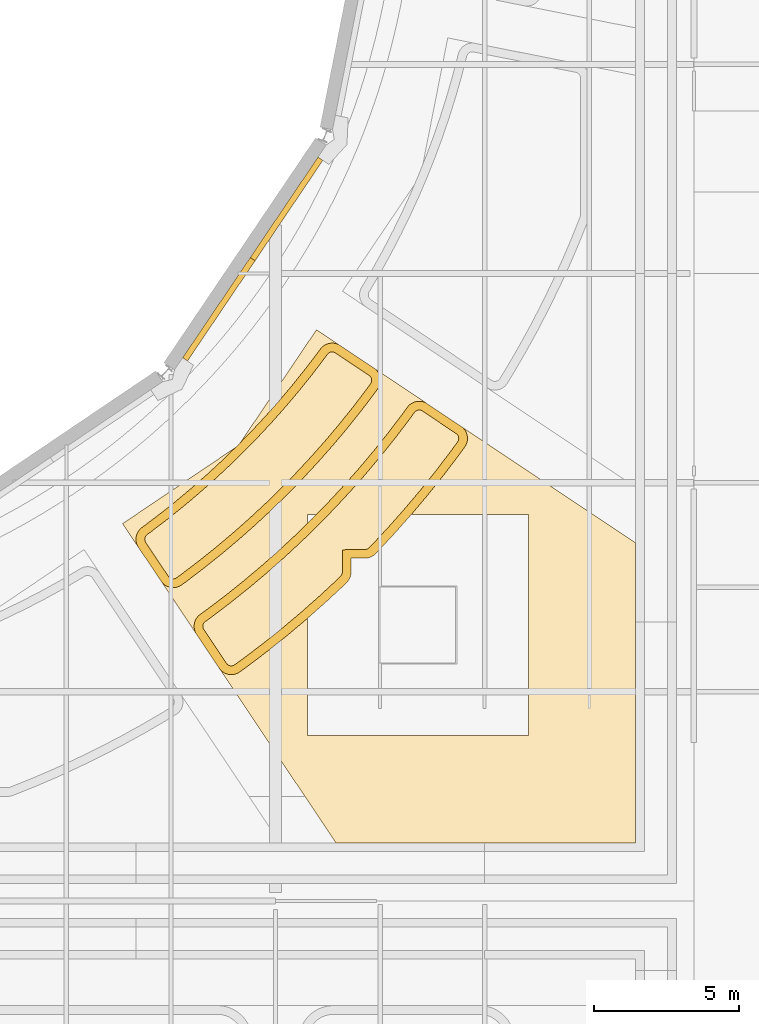
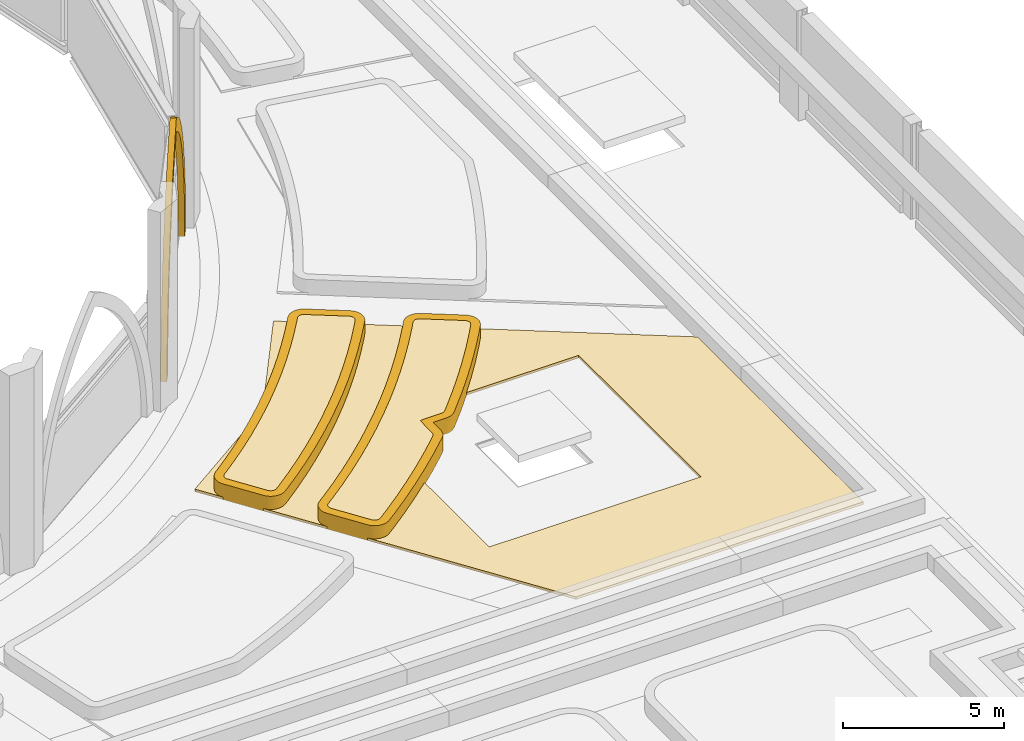
# One storey, part 88 of 110: 6 coverings.
"""IFC4 building model written with IfcOpenShell, lengths in metres."""

from ifc_helpers import new_model, si_unit, direction, frame, origin, place, context, subcontext, project, spatial, polyline, outline, extrude, material, layer, layer_set, type_object, element, save


model = new_model("IFC4")

# Units and contexts
model_context = context("Model", 3, precision=1e-05, world=origin(), true_north=direction((0.0, 1.0)))
body_context = subcontext(model_context, "Body", "Model", "MODEL_VIEW")
ifc_project = project(units=[si_unit("LENGTHUNIT", "METRE"), si_unit("AREAUNIT", "SQUARE_METRE"), si_unit("VOLUMEUNIT", "CUBIC_METRE"), si_unit("PLANEANGLEUNIT", "RADIAN"), si_unit("MASSUNIT", "GRAM", prefix="KILO")], contexts=[model_context])

# Site, building, storey
site_placement = place(None, origin())
site = spatial("IfcSite", under=ifc_project, at=site_placement, CompositionType="ELEMENT")
building_placement = place(site_placement, origin())
building = spatial("IfcBuilding", under=site, at=building_placement, Name="Kupolbacken Congress Centre", CompositionType="ELEMENT")
storey_placement = place(building_placement, frame((0.0, 0.0, 18.0)))
storey = spatial("IfcBuildingStorey", under=building, at=storey_placement, Name="L05", CompositionType="ELEMENT", Elevation=18.0)

# Coverings
ifc_material_1 = material(Name="Limestone cladding", Category="masonry")
ifc_layer_1 = layer(ifc_material_1, 0.60009765625)
ifc_layer_set_1 = layer_set([ifc_layer_1], Name="Limestone cladding")
covering_type_1 = type_object("IfcCoveringType", Name="CV5 limestone arcade pier 600", PredefinedType="CLADDING", material=ifc_layer_set_1)
covering_1_placement = place(storey_placement, origin())
element("IfcCovering", 1, at=covering_1_placement, inside=storey, type_object=covering_type_1, Name="Bed kerb, plenary wing roof", PredefinedType="CLADDING", context=body_context, shape_type="SweptSolid", body=[
    extrude(outline(polyline([(60.310791015625, 63.333984375), (60.866943359375, 63.757080078125), (60.87158203125, 63.7607421875), (61.417236328125, 64.197509765625), (61.422119140625, 64.201416015625), (61.95654296875, 64.651123046875), (61.961181640625, 64.655029296875), (62.484619140625, 65.117919921875), (62.4892578125, 65.1220703125), (63.001220703125, 65.59765625), (63.005615234375, 65.601806640625), (63.505859375, 66.08984375), (63.510009765625, 66.09423828125), (63.998046875, 66.59423828125), (64.002197265625, 66.598876953125), (64.477783203125, 67.110595703125), (64.48193359375, 67.115234375), (64.94482421875, 67.638671875), (64.948974609375, 67.643310546875), (65.398681640625, 68.177978515625), (65.402587890625, 68.1826171875), (65.839111328125, 68.728271484375), (65.843017578125, 68.733154296875), (66.26611328125, 69.289306640625), (66.269775390625, 69.294189453125), (66.343017578125, 69.3955078125), (66.373046875, 69.43310546875), (66.406494140625, 69.467529296875), (66.44287109375, 69.49853515625), (66.482177734375, 69.52587890625), (66.52392578125, 69.549560546875), (66.567626953125, 69.569091796875), (66.61328125, 69.583984375), (66.659912109375, 69.5947265625), (66.70751953125, 69.60107421875), (66.75537109375, 69.602783203125), (66.802978515625, 69.599609375), (66.850341796875, 69.59228515625), (66.896728515625, 69.580078125), (66.94189453125, 69.563720703125), (66.985107421875, 69.543212890625), (67.026123046875, 69.5185546875), (68.19091796875, 68.740234375), (68.231201171875, 68.710205078125), (68.268310546875, 68.676513671875), (68.3017578125, 68.63916015625), (68.331298828125, 68.598388671875), (68.356689453125, 68.55517578125), (68.377685546875, 68.509521484375), (68.393798828125, 68.4619140625), (68.4052734375, 68.4130859375), (68.41162109375, 68.36328125), (68.412841796875, 68.31298828125), (68.4091796875, 68.262939453125), (68.400634765625, 68.21337890625), (68.386962890625, 68.165283203125), (68.36865234375, 68.118408203125), (68.345703125, 68.07373046875), (68.318359375, 68.031494140625), (68.19921875, 67.866943359375), (68.19189453125, 67.857177734375), (67.73681640625, 67.259033203125), (67.729248046875, 67.249267578125), (67.259765625, 66.66259765625), (67.251953125, 66.653076171875), (66.76806640625, 66.078125), (66.760009765625, 66.06884765625), (66.26220703125, 65.505859375), (66.254150390625, 65.49658203125), (65.74267578125, 64.946044921875), (65.734130859375, 64.937255859375), (65.209228515625, 64.3994140625), (65.20068359375, 64.390625), (64.662841796875, 63.865966796875), (64.65380859375, 63.857421875), (64.103271484375, 63.345947265625), (64.09423828125, 63.337646484375), (63.53125, 62.83984375), (63.52197265625, 62.831787109375), (62.947021484375, 62.347900390625), (62.9375, 62.340087890625), (62.3505859375, 61.87060546875), (62.341064453125, 61.863037109375), (61.742919921875, 61.408203125), (61.733154296875, 61.400634765625), (61.568359375, 61.28173828125), (61.526123046875, 61.25439453125), (61.481689453125, 61.2314453125), (61.434814453125, 61.212890625), (61.386474609375, 61.199462890625), (61.3369140625, 61.190673828125), (61.287109375, 61.18701171875), (61.23681640625, 61.1884765625), (61.18701171875, 61.19482421875), (61.137939453125, 61.206298828125), (61.090576171875, 61.222412109375), (61.044921875, 61.243408203125), (61.00146484375, 61.268798828125), (60.9609375, 61.298095703125), (60.923583984375, 61.331787109375), (60.8896484375, 61.368896484375), (60.859619140625, 61.4091796875), (60.08154296875, 62.573974609375), (60.056884765625, 62.614990234375), (60.0361328125, 62.658203125), (60.019775390625, 62.703125), (60.0078125, 62.74951171875), (60.000244140625, 62.796875), (59.997314453125, 62.8447265625), (59.998779296875, 62.892578125), (60.005126953125, 62.940185546875), (60.015869140625, 62.98681640625), (60.031005859375, 63.0322265625), (60.050537109375, 63.076171875), (60.073974609375, 63.117919921875), (60.101318359375, 63.156982421875), (60.132568359375, 63.193603515625), (60.1669921875, 63.22705078125), (60.204345703125, 63.2568359375), (60.305908203125, 63.330078125), (60.310791015625, 63.333984375)]), holes=[polyline([(60.385986328125, 63.017822265625), (60.365234375, 63.00146484375), (60.3515625, 62.98828125), (60.339111328125, 62.9736328125), (60.328125, 62.9580078125), (60.31884765625, 62.94140625), (60.31103515625, 62.923828125), (60.304931640625, 62.905517578125), (60.30078125, 62.886962890625), (60.29833984375, 62.867919921875), (60.297607421875, 62.848876953125), (60.298828125, 62.829833984375), (60.3017578125, 62.810791015625), (60.306640625, 62.79248046875), (60.31298828125, 62.7744140625), (60.3212890625, 62.757080078125), (60.3349609375, 62.734619140625), (61.10498046875, 61.58203125), (61.121337890625, 61.559814453125), (61.135009765625, 61.545166015625), (61.14990234375, 61.53173828125), (61.166015625, 61.52001953125), (61.183349609375, 61.509765625), (61.20166015625, 61.50146484375), (61.220703125, 61.4951171875), (61.239990234375, 61.490478515625), (61.260009765625, 61.48779296875), (61.280029296875, 61.4873046875), (61.300048828125, 61.48876953125), (61.31982421875, 61.4921875), (61.339111328125, 61.497802734375), (61.357666015625, 61.505126953125), (61.37548828125, 61.51416015625), (61.398681640625, 61.529296875), (61.555908203125, 61.642822265625), (61.562744140625, 61.64794921875), (62.157958984375, 62.1005859375), (62.164794921875, 62.10595703125), (62.74853515625, 62.5732421875), (62.755126953125, 62.578857421875), (63.327392578125, 63.060302734375), (63.333984375, 63.06591796875), (63.89404296875, 63.561279296875), (63.900390625, 63.56689453125), (64.4482421875, 64.075927734375), (64.45458984375, 64.081787109375), (64.98974609375, 64.60400390625), (64.995849609375, 64.610107421875), (65.51806640625, 65.1455078125), (65.524169921875, 65.151611328125), (66.032958984375, 65.69970703125), (66.038818359375, 65.705810546875), (66.5341796875, 66.26611328125), (66.539794921875, 66.272705078125), (67.021240234375, 66.844970703125), (67.026611328125, 66.8515625), (67.493896484375, 67.435302734375), (67.499267578125, 67.442138671875), (67.9521484375, 68.037353515625), (67.957275390625, 68.044189453125), (68.07080078125, 68.201416015625), (68.085693359375, 68.224365234375), (68.094970703125, 68.2421875), (68.102294921875, 68.260986328125), (68.107666015625, 68.2802734375), (68.111083984375, 68.300048828125), (68.112548828125, 68.320068359375), (68.112060546875, 68.340087890625), (68.109619140625, 68.35986328125), (68.10498046875, 68.37939453125), (68.098388671875, 68.3984375), (68.090087890625, 68.41650390625), (68.080078125, 68.433837890625), (68.068359375, 68.4501953125), (68.054931640625, 68.465087890625), (68.0400390625, 68.478515625), (68.017822265625, 68.4951171875), (66.865478515625, 69.264892578125), (66.843017578125, 69.278564453125), (66.82568359375, 69.286865234375), (66.8076171875, 69.29345703125), (66.7890625, 69.298095703125), (66.770263671875, 69.30126953125), (66.751220703125, 69.302490234375), (66.73193359375, 69.3017578125), (66.712890625, 69.29931640625), (66.6943359375, 69.294921875), (66.67626953125, 69.288818359375), (66.65869140625, 69.28125), (66.64208984375, 69.271728515625), (66.62646484375, 69.2607421875), (66.61181640625, 69.248291015625), (66.598388671875, 69.234619140625), (66.58203125, 69.214111328125), (66.51171875, 69.116943359375), (66.506103515625, 69.10888671875), (66.08056640625, 68.550048828125), (66.07470703125, 68.542236328125), (65.6357421875, 67.993896484375), (65.62939453125, 67.986328125), (65.17724609375, 67.44873046875), (65.1708984375, 67.44140625), (64.70556640625, 66.915283203125), (64.698974609375, 66.907958984375), (64.220947265625, 66.393310546875), (64.214111328125, 66.385986328125), (63.723388671875, 65.88330078125), (63.716552734375, 65.87646484375), (63.2138671875, 65.385986328125), (63.206787109375, 65.379150390625), (62.692138671875, 64.901123046875), (62.684814453125, 64.89453125), (62.15869140625, 64.42919921875), (62.151123046875, 64.4228515625), (61.61376953125, 63.970458984375), (61.606201171875, 63.96435546875), (61.0576171875, 63.525390625), (61.050048828125, 63.519287109375), (60.490966796875, 63.093994140625), (60.483154296875, 63.088134765625), (60.385986328125, 63.017822265625)])]), origin(), (0.0, 0.0, 1.0), 0.60009765625),
])
covering_2_placement = place(storey_placement, origin())
element("IfcCovering", 2, at=covering_2_placement, inside=storey, type_object=covering_type_1, Name="Bed kerb, plenary wing roof", PredefinedType="CLADDING", context=body_context, shape_type="SweptSolid", body=[
    extrude(outline(polyline([(63.52734375, 58.25927734375), (63.48291015625, 58.236083984375), (63.43603515625, 58.218017578125), (63.3876953125, 58.204345703125), (63.338134765625, 58.195556640625), (63.2880859375, 58.19189453125), (63.238037109375, 58.193359375), (63.18798828125, 58.19970703125), (63.13916015625, 58.2109375), (63.091796875, 58.227294921875), (63.0458984375, 58.248046875), (63.002685546875, 58.2734375), (62.962158203125, 58.302978515625), (62.9248046875, 58.336669921875), (62.890869140625, 58.373779296875), (62.86083984375, 58.4140625), (62.082763671875, 59.57861328125), (62.05810546875, 59.619873046875), (62.037353515625, 59.6630859375), (62.02099609375, 59.7080078125), (62.009033203125, 59.75439453125), (62.00146484375, 59.8017578125), (61.99853515625, 59.849609375), (62.0, 59.8974609375), (62.00634765625, 59.945068359375), (62.01708984375, 59.99169921875), (62.0322265625, 60.037109375), (62.0517578125, 60.0810546875), (62.0751953125, 60.122802734375), (62.1025390625, 60.162109375), (62.1337890625, 60.198486328125), (62.168212890625, 60.231689453125), (62.20556640625, 60.26171875), (62.450439453125, 60.438720703125), (62.455322265625, 60.4423828125), (63.081787109375, 60.9189453125), (63.086669921875, 60.922607421875), (63.701171875, 61.41455078125), (63.705810546875, 61.41845703125), (64.30810546875, 61.92529296875), (64.312744140625, 61.92919921875), (64.90234375, 62.45068359375), (64.906982421875, 62.45458984375), (65.483642578125, 62.990478515625), (65.488037109375, 62.99462890625), (66.051513671875, 63.544189453125), (66.0556640625, 63.548583984375), (66.60546875, 64.112060546875), (66.609619140625, 64.116455078125), (67.145263671875, 64.693115234375), (67.1494140625, 64.697509765625), (67.6708984375, 65.287353515625), (67.6748046875, 65.2919921875), (68.181640625, 65.894287109375), (68.185546875, 65.89892578125), (68.67724609375, 66.513427734375), (68.68115234375, 66.518310546875), (69.15771484375, 67.144775390625), (69.161376953125, 67.149658203125), (69.33837890625, 67.394287109375), (69.3681640625, 67.431884765625), (69.401611328125, 67.46630859375), (69.43798828125, 67.497314453125), (69.477294921875, 67.52490234375), (69.51904296875, 67.54833984375), (69.562744140625, 67.56787109375), (69.6083984375, 67.5830078125), (69.655029296875, 67.59375), (69.702392578125, 67.599853515625), (69.75048828125, 67.6015625), (69.798095703125, 67.598388671875), (69.845703125, 67.591064453125), (69.891845703125, 67.5791015625), (69.93701171875, 67.5625), (69.980224609375, 67.5419921875), (70.021240234375, 67.517333984375), (71.18603515625, 66.739013671875), (71.226318359375, 66.708984375), (71.263427734375, 66.67529296875), (71.296875, 66.637939453125), (71.326416015625, 66.597412109375), (71.351806640625, 66.553955078125), (71.372802734375, 66.50830078125), (71.388916015625, 66.460693359375), (71.400390625, 66.411865234375), (71.40673828125, 66.362060546875), (71.408203125, 66.311767578125), (71.404296875, 66.26171875), (71.395751953125, 66.21240234375), (71.382080078125, 66.1640625), (71.36376953125, 66.1171875), (71.3408203125, 66.072509765625), (71.3134765625, 66.030517578125), (71.0908203125, 65.722412109375), (71.08349609375, 65.712646484375), (70.574951171875, 65.044189453125), (70.5673828125, 65.034423828125), (70.04248046875, 64.37890625), (70.034912109375, 64.369384765625), (69.494140625, 63.726806640625), (69.486083984375, 63.71728515625), (68.9296875, 63.088134765625), (68.92138671875, 63.0791015625), (68.349853515625, 62.4638671875), (68.34130859375, 62.454833984375), (68.240478515625, 62.351318359375), (68.203857421875, 62.3173828125), (68.1640625, 62.287353515625), (68.12158203125, 62.261474609375), (68.07666015625, 62.23974609375), (68.02978515625, 62.22265625), (67.9814453125, 62.21044921875), (67.932373046875, 62.202880859375), (67.882568359375, 62.200439453125), (67.411865234375, 62.200439453125), (67.400146484375, 62.199951171875), (67.3994140625, 62.188232421875), (67.3994140625, 61.717529296875), (67.39697265625, 61.667724609375), (67.3896484375, 61.618408203125), (67.377197265625, 61.5703125), (67.3603515625, 61.523193359375), (67.338623046875, 61.478515625), (67.312744140625, 61.435791015625), (67.28271484375, 61.396240234375), (67.248779296875, 61.359619140625), (67.14501953125, 61.258544921875), (67.13623046875, 61.25), (66.52099609375, 60.678466796875), (66.51171875, 60.67041015625), (65.882568359375, 60.114013671875), (65.873291015625, 60.10595703125), (65.230712890625, 59.565185546875), (65.22119140625, 59.557373046875), (64.5654296875, 59.03271484375), (64.555908203125, 59.025146484375), (63.887451171875, 58.5166015625), (63.877685546875, 58.50927734375), (63.569580078125, 58.28662109375), (63.52734375, 58.25927734375)]), holes=[polyline([(63.700439453125, 58.751220703125), (63.707275390625, 58.75634765625), (64.372802734375, 59.2626953125), (64.37939453125, 59.26806640625), (65.0322265625, 59.79052734375), (65.0390625, 59.7958984375), (65.6787109375, 60.334228515625), (65.685302734375, 60.33984375), (66.311767578125, 60.893798828125), (66.318115234375, 60.899658203125), (66.9306640625, 61.46875), (66.93701171875, 61.474609375), (67.03369140625, 61.569091796875), (67.052490234375, 61.589111328125), (67.064453125, 61.60498046875), (67.07470703125, 61.6220703125), (67.08349609375, 61.639892578125), (67.09033203125, 61.65869140625), (67.09521484375, 61.677978515625), (67.09814453125, 61.697509765625), (67.099609375, 61.72509765625), (67.099609375, 62.195556640625), (67.11376953125, 62.486083984375), (67.404296875, 62.50048828125), (67.875, 62.50048828125), (67.90234375, 62.501953125), (67.922119140625, 62.5048828125), (67.94140625, 62.509765625), (67.9599609375, 62.5166015625), (67.977783203125, 62.525146484375), (67.994873046875, 62.535400390625), (68.0107421875, 62.547607421875), (68.031005859375, 62.566162109375), (68.12548828125, 62.6630859375), (68.13134765625, 62.669189453125), (68.700439453125, 63.281982421875), (68.706298828125, 63.288330078125), (69.260009765625, 63.914794921875), (69.265625, 63.921142578125), (69.80419921875, 64.56103515625), (69.8095703125, 64.567626953125), (70.33203125, 65.220458984375), (70.33740234375, 65.227294921875), (70.843505859375, 65.892578125), (70.8486328125, 65.899658203125), (71.06591796875, 66.2001953125), (71.080810546875, 66.22314453125), (71.090087890625, 66.2412109375), (71.097412109375, 66.259765625), (71.102783203125, 66.279052734375), (71.106201171875, 66.298828125), (71.10791015625, 66.31884765625), (71.107177734375, 66.3388671875), (71.104736328125, 66.358642578125), (71.10009765625, 66.378173828125), (71.09375, 66.397216796875), (71.085205078125, 66.415283203125), (71.0751953125, 66.4326171875), (71.0634765625, 66.448974609375), (71.050048828125, 66.4638671875), (71.03515625, 66.477294921875), (71.01318359375, 66.493896484375), (69.860595703125, 67.263916015625), (69.837890625, 67.27734375), (69.82080078125, 67.28564453125), (69.802734375, 67.292236328125), (69.7841796875, 67.297119140625), (69.765380859375, 67.300048828125), (69.746337890625, 67.30126953125), (69.72705078125, 67.300537109375), (69.708251953125, 67.298095703125), (69.689453125, 67.293701171875), (69.67138671875, 67.28759765625), (69.65380859375, 67.280029296875), (69.63720703125, 67.2705078125), (69.62158203125, 67.259521484375), (69.60693359375, 67.247314453125), (69.593505859375, 67.2333984375), (69.5771484375, 67.212890625), (69.4033203125, 66.972412109375), (69.3974609375, 66.964599609375), (68.918701171875, 66.335205078125), (68.91259765625, 66.327392578125), (68.41845703125, 65.7099609375), (68.412353515625, 65.702392578125), (67.9033203125, 65.097412109375), (67.896728515625, 65.08984375), (67.372802734375, 64.49755859375), (67.366455078125, 64.490234375), (66.828125, 63.910888671875), (66.8212890625, 63.90380859375), (66.26904296875, 63.337890625), (66.26220703125, 63.330810546875), (65.6962890625, 62.778564453125), (65.689208984375, 62.771728515625), (65.109619140625, 62.233642578125), (65.1025390625, 62.22705078125), (64.510009765625, 61.703125), (64.502685546875, 61.69677734375), (63.897705078125, 61.187744140625), (63.889892578125, 61.181396484375), (63.272705078125, 60.687255859375), (63.264892578125, 60.681396484375), (62.635498046875, 60.202392578125), (62.627685546875, 60.196533203125), (62.38720703125, 60.022705078125), (62.366455078125, 60.00634765625), (62.352783203125, 59.9931640625), (62.34033203125, 59.978515625), (62.329345703125, 59.962890625), (62.320068359375, 59.946044921875), (62.312255859375, 59.9287109375), (62.30615234375, 59.910400390625), (62.302001953125, 59.891845703125), (62.299560546875, 59.872802734375), (62.298828125, 59.853759765625), (62.300048828125, 59.834716796875), (62.302978515625, 59.815673828125), (62.307861328125, 59.797119140625), (62.314208984375, 59.779296875), (62.322509765625, 59.761962890625), (62.336181640625, 59.739501953125), (63.106201171875, 58.5869140625), (63.12255859375, 58.564697265625), (63.135986328125, 58.550048828125), (63.151123046875, 58.53662109375), (63.167236328125, 58.52490234375), (63.1845703125, 58.5146484375), (63.202880859375, 58.50634765625), (63.2216796875, 58.499755859375), (63.2412109375, 58.495361328125), (63.26123046875, 58.492919921875), (63.28125, 58.4921875), (63.30126953125, 58.49365234375), (63.321044921875, 58.4970703125), (63.34033203125, 58.502685546875), (63.35888671875, 58.510009765625), (63.376708984375, 58.51904296875), (63.39990234375, 58.5341796875), (63.700439453125, 58.751220703125)])]), origin(), (0.0, 0.0, 1.0), 0.60009765625),
])
ifc_material_2 = material(Name="Limestone cladding", Category="masonry")
ifc_layer_2 = layer(ifc_material_2, 0.199951171875)
ifc_layer_set_2 = layer_set([ifc_layer_2], Name="Limestone cladding")
covering_type_2 = type_object("IfcCoveringType", Name="CV9 limestone drum arch frame 200", PredefinedType="CLADDING", material=ifc_layer_set_2)
covering_3_placement = place(storey_placement, frame((61.601806640625, 69.0986328125, 0.0), z_axis=(0.828907623157, -0.559385513106, 0.0), x_axis=(0.559385513106, 0.828907623157, 0.0)))
element("IfcCovering", 3, at=covering_3_placement, inside=storey, type_object=covering_type_2, Name="F/drum/arch/wall/06", PredefinedType="CLADDING", context=body_context, shape_type="SweptSolid", body=[
    extrude(outline(polyline([(0.0, 0.0), (0.0234375, 0.615966796875), (0.09326171875, 1.228271484375), (0.20947265625, 1.833740234375), (0.37109375, 2.428466796875), (0.5771484375, 3.009521484375), (0.826904296875, 3.572998046875), (1.118408203125, 4.115966796875), (1.4501953125, 4.635498046875), (1.820556640625, 5.128173828125), (2.22705078125, 5.591552734375), (2.66748046875, 6.022705078125), (3.139404296875, 6.41943359375), (3.639892578125, 6.779296875), (4.166015625, 7.10009765625), (4.6923828125, 6.779296875), (5.19287109375, 6.41943359375), (5.664794921875, 6.022705078125), (6.105224609375, 5.591552734375), (6.51171875, 5.128173828125), (6.8818359375, 4.635498046875), (7.2138671875, 4.115966796875), (7.50537109375, 3.572998046875), (7.7548828125, 3.009521484375), (7.961181640625, 2.428466796875), (8.122802734375, 1.833740234375), (8.239013671875, 1.228271484375), (8.308837890625, 0.615966796875), (8.332275390625, 0.0), (7.882080078125, 0.0), (7.861572265625, 0.563720703125), (7.799560546875, 1.12451171875), (7.696533203125, 1.67919921875), (7.552978515625, 2.224853515625), (7.3701171875, 2.758544921875), (7.148193359375, 3.277099609375), (6.888916015625, 3.7783203125), (6.59375, 4.259033203125), (6.263916015625, 4.716796875), (5.901611328125, 5.149169921875), (5.50830078125, 5.5537109375), (5.08642578125, 5.92822265625), (4.63818359375, 6.27099609375), (4.166015625, 6.57958984375), (3.694091796875, 6.27099609375), (3.245849609375, 5.92822265625), (2.823974609375, 5.5537109375), (2.4306640625, 5.149169921875), (2.068359375, 4.716796875), (1.738525390625, 4.259033203125), (1.443115234375, 3.7783203125), (1.18408203125, 3.277099609375), (0.96240234375, 2.758544921875), (0.779296875, 2.224853515625), (0.6357421875, 1.67919921875), (0.53271484375, 1.12451171875), (0.470703125, 0.563720703125), (0.449951171875, 0.0), (0.0, 0.0)])), origin(), (0.0, 0.0, 1.0), 0.199951171875),
])
ifc_material_3 = material(Name="Grass", Category="soil")
ifc_layer_3 = layer(ifc_material_3, 0.10009765625)
ifc_layer_set_3 = layer_set([ifc_layer_3], Name="Grass")
covering_type_3 = type_object("IfcCoveringType", Name="GR2 grass surface 100", PredefinedType="FLOORING", material=ifc_layer_set_3)
covering_4_placement = place(storey_placement, origin())
element("IfcCovering", 4, at=covering_4_placement, inside=storey, type_object=covering_type_3, Name="Green roof, plenary wing roof", PredefinedType="FLOORING", context=body_context, shape_type="SweptSolid", body=[
    extrude(outline(polyline([(77.199462890625, 62.72119140625), (77.199462890625, 52.400390625), (66.87890625, 52.400390625), (59.53662109375, 63.389404296875), (63.521484375, 66.07861328125), (66.210693359375, 70.0634765625), (77.199462890625, 62.72119140625)]), holes=[polyline([(73.50048828125, 56.099609375), (73.50048828125, 63.700439453125), (65.8994140625, 63.700439453125), (65.8994140625, 56.099609375), (73.50048828125, 56.099609375)])]), origin(), (0.0, 0.0, 1.0), 0.10009765625),
])
ifc_material_4 = material(Name="Planting substrate", Category="soil")
ifc_layer_4 = layer(ifc_material_4, 0.60009765625)
ifc_layer_set_4 = layer_set([ifc_layer_4], Name="Planting substrate")
covering_type_4 = type_object("IfcCoveringType", Name="GR8 planting substrate 600", PredefinedType="FLOORING", material=ifc_layer_set_4)
covering_5_placement = place(storey_placement, origin())
element("IfcCovering", 5, at=covering_5_placement, inside=storey, type_object=covering_type_4, Name="Planting bed, plenary wing roof", PredefinedType="FLOORING", context=body_context, shape_type="SweptSolid", body=[
    extrude(outline(polyline([(60.483154296875, 63.088134765625), (60.490966796875, 63.093994140625), (61.050048828125, 63.519287109375), (61.0576171875, 63.525390625), (61.606201171875, 63.96435546875), (61.61376953125, 63.970458984375), (62.151123046875, 64.4228515625), (62.15869140625, 64.42919921875), (62.684814453125, 64.89453125), (62.692138671875, 64.901123046875), (63.206787109375, 65.379150390625), (63.2138671875, 65.385986328125), (63.716552734375, 65.87646484375), (63.723388671875, 65.88330078125), (64.214111328125, 66.385986328125), (64.220947265625, 66.393310546875), (64.698974609375, 66.907958984375), (64.70556640625, 66.915283203125), (65.1708984375, 67.44140625), (65.17724609375, 67.44873046875), (65.62939453125, 67.986328125), (65.6357421875, 67.993896484375), (66.07470703125, 68.542236328125), (66.08056640625, 68.550048828125), (66.506103515625, 69.10888671875), (66.51171875, 69.116943359375), (66.58203125, 69.214111328125), (66.598388671875, 69.234619140625), (66.61181640625, 69.248291015625), (66.62646484375, 69.2607421875), (66.64208984375, 69.271728515625), (66.65869140625, 69.28125), (66.67626953125, 69.288818359375), (66.6943359375, 69.294921875), (66.712890625, 69.29931640625), (66.73193359375, 69.3017578125), (66.751220703125, 69.302490234375), (66.770263671875, 69.30126953125), (66.7890625, 69.298095703125), (66.8076171875, 69.29345703125), (66.82568359375, 69.286865234375), (66.843017578125, 69.278564453125), (66.865478515625, 69.264892578125), (68.017822265625, 68.4951171875), (68.0400390625, 68.478515625), (68.054931640625, 68.465087890625), (68.068359375, 68.4501953125), (68.080078125, 68.433837890625), (68.090087890625, 68.41650390625), (68.098388671875, 68.3984375), (68.10498046875, 68.37939453125), (68.109619140625, 68.35986328125), (68.112060546875, 68.340087890625), (68.112548828125, 68.320068359375), (68.111083984375, 68.300048828125), (68.107666015625, 68.2802734375), (68.102294921875, 68.260986328125), (68.094970703125, 68.2421875), (68.085693359375, 68.224365234375), (68.07080078125, 68.201416015625), (67.957275390625, 68.044189453125), (67.9521484375, 68.037353515625), (67.499267578125, 67.442138671875), (67.493896484375, 67.435302734375), (67.026611328125, 66.8515625), (67.021240234375, 66.844970703125), (66.539794921875, 66.272705078125), (66.5341796875, 66.26611328125), (66.038818359375, 65.705810546875), (66.032958984375, 65.69970703125), (65.524169921875, 65.151611328125), (65.51806640625, 65.1455078125), (64.995849609375, 64.610107421875), (64.98974609375, 64.60400390625), (64.45458984375, 64.081787109375), (64.4482421875, 64.075927734375), (63.900390625, 63.56689453125), (63.89404296875, 63.561279296875), (63.333984375, 63.06591796875), (63.327392578125, 63.060302734375), (62.755126953125, 62.578857421875), (62.74853515625, 62.5732421875), (62.164794921875, 62.10595703125), (62.157958984375, 62.1005859375), (61.562744140625, 61.64794921875), (61.555908203125, 61.642822265625), (61.398681640625, 61.529296875), (61.37548828125, 61.51416015625), (61.357666015625, 61.505126953125), (61.339111328125, 61.497802734375), (61.31982421875, 61.4921875), (61.300048828125, 61.48876953125), (61.280029296875, 61.4873046875), (61.260009765625, 61.48779296875), (61.239990234375, 61.490478515625), (61.220703125, 61.4951171875), (61.20166015625, 61.50146484375), (61.183349609375, 61.509765625), (61.166015625, 61.52001953125), (61.14990234375, 61.53173828125), (61.135009765625, 61.545166015625), (61.121337890625, 61.559814453125), (61.10498046875, 61.58203125), (60.3349609375, 62.734619140625), (60.3212890625, 62.757080078125), (60.31298828125, 62.7744140625), (60.306640625, 62.79248046875), (60.3017578125, 62.810791015625), (60.298828125, 62.829833984375), (60.297607421875, 62.848876953125), (60.29833984375, 62.867919921875), (60.30078125, 62.886962890625), (60.304931640625, 62.905517578125), (60.31103515625, 62.923828125), (60.31884765625, 62.94140625), (60.328125, 62.9580078125), (60.339111328125, 62.9736328125), (60.3515625, 62.98828125), (60.365234375, 63.00146484375), (60.385986328125, 63.017822265625), (60.483154296875, 63.088134765625)])), origin(), (0.0, 0.0, 1.0), 0.60009765625),
])
covering_6_placement = place(storey_placement, origin())
element("IfcCovering", 6, at=covering_6_placement, inside=storey, type_object=covering_type_4, Name="Planting bed, plenary wing roof", PredefinedType="FLOORING", context=body_context, shape_type="SweptSolid", body=[
    extrude(outline(polyline([(63.39990234375, 58.5341796875), (63.376708984375, 58.51904296875), (63.35888671875, 58.510009765625), (63.34033203125, 58.502685546875), (63.321044921875, 58.4970703125), (63.30126953125, 58.49365234375), (63.28125, 58.4921875), (63.26123046875, 58.492919921875), (63.2412109375, 58.495361328125), (63.2216796875, 58.499755859375), (63.202880859375, 58.50634765625), (63.1845703125, 58.5146484375), (63.167236328125, 58.52490234375), (63.151123046875, 58.53662109375), (63.135986328125, 58.550048828125), (63.12255859375, 58.564697265625), (63.106201171875, 58.5869140625), (62.336181640625, 59.739501953125), (62.322509765625, 59.761962890625), (62.314208984375, 59.779296875), (62.307861328125, 59.797119140625), (62.302978515625, 59.815673828125), (62.300048828125, 59.834716796875), (62.298828125, 59.853759765625), (62.299560546875, 59.872802734375), (62.302001953125, 59.891845703125), (62.30615234375, 59.910400390625), (62.312255859375, 59.9287109375), (62.320068359375, 59.946044921875), (62.329345703125, 59.962890625), (62.34033203125, 59.978515625), (62.352783203125, 59.9931640625), (62.366455078125, 60.00634765625), (62.38720703125, 60.022705078125), (62.627685546875, 60.196533203125), (62.635498046875, 60.202392578125), (63.264892578125, 60.681396484375), (63.272705078125, 60.687255859375), (63.889892578125, 61.181396484375), (63.897705078125, 61.187744140625), (64.502685546875, 61.69677734375), (64.510009765625, 61.703125), (65.1025390625, 62.22705078125), (65.109619140625, 62.233642578125), (65.689208984375, 62.771728515625), (65.6962890625, 62.778564453125), (66.26220703125, 63.330810546875), (66.26904296875, 63.337890625), (66.8212890625, 63.90380859375), (66.828125, 63.910888671875), (67.366455078125, 64.490234375), (67.372802734375, 64.49755859375), (67.896728515625, 65.08984375), (67.9033203125, 65.097412109375), (68.412353515625, 65.702392578125), (68.41845703125, 65.7099609375), (68.91259765625, 66.327392578125), (68.918701171875, 66.335205078125), (69.3974609375, 66.964599609375), (69.4033203125, 66.972412109375), (69.5771484375, 67.212890625), (69.593505859375, 67.2333984375), (69.60693359375, 67.247314453125), (69.62158203125, 67.259521484375), (69.63720703125, 67.2705078125), (69.65380859375, 67.280029296875), (69.67138671875, 67.28759765625), (69.689453125, 67.293701171875), (69.708251953125, 67.298095703125), (69.72705078125, 67.300537109375), (69.746337890625, 67.30126953125), (69.765380859375, 67.300048828125), (69.7841796875, 67.297119140625), (69.802734375, 67.292236328125), (69.82080078125, 67.28564453125), (69.837890625, 67.27734375), (69.860595703125, 67.263916015625), (71.01318359375, 66.493896484375), (71.03515625, 66.477294921875), (71.050048828125, 66.4638671875), (71.0634765625, 66.448974609375), (71.0751953125, 66.4326171875), (71.085205078125, 66.415283203125), (71.09375, 66.397216796875), (71.10009765625, 66.378173828125), (71.104736328125, 66.358642578125), (71.107177734375, 66.3388671875), (71.10791015625, 66.31884765625), (71.106201171875, 66.298828125), (71.102783203125, 66.279052734375), (71.097412109375, 66.259765625), (71.090087890625, 66.2412109375), (71.080810546875, 66.22314453125), (71.06591796875, 66.2001953125), (70.8486328125, 65.899658203125), (70.843505859375, 65.892578125), (70.33740234375, 65.227294921875), (70.33203125, 65.220458984375), (69.8095703125, 64.567626953125), (69.80419921875, 64.56103515625), (69.265625, 63.921142578125), (69.260009765625, 63.914794921875), (68.706298828125, 63.288330078125), (68.700439453125, 63.281982421875), (68.13134765625, 62.669189453125), (68.12548828125, 62.6630859375), (68.031005859375, 62.566162109375), (68.0107421875, 62.547607421875), (67.994873046875, 62.535400390625), (67.977783203125, 62.525146484375), (67.9599609375, 62.5166015625), (67.94140625, 62.509765625), (67.922119140625, 62.5048828125), (67.90234375, 62.501953125), (67.875, 62.50048828125), (67.404296875, 62.50048828125), (67.11376953125, 62.486083984375), (67.099609375, 62.195556640625), (67.099609375, 61.72509765625), (67.09814453125, 61.697509765625), (67.09521484375, 61.677978515625), (67.09033203125, 61.65869140625), (67.08349609375, 61.639892578125), (67.07470703125, 61.6220703125), (67.064453125, 61.60498046875), (67.052490234375, 61.589111328125), (67.03369140625, 61.569091796875), (66.93701171875, 61.474609375), (66.9306640625, 61.46875), (66.318115234375, 60.899658203125), (66.311767578125, 60.893798828125), (65.685302734375, 60.33984375), (65.6787109375, 60.334228515625), (65.0390625, 59.7958984375), (65.0322265625, 59.79052734375), (64.37939453125, 59.26806640625), (64.372802734375, 59.2626953125), (63.707275390625, 58.75634765625), (63.700439453125, 58.751220703125), (63.39990234375, 58.5341796875)])), origin(), (0.0, 0.0, 1.0), 0.60009765625),
])

save(model, "model.ifc")
